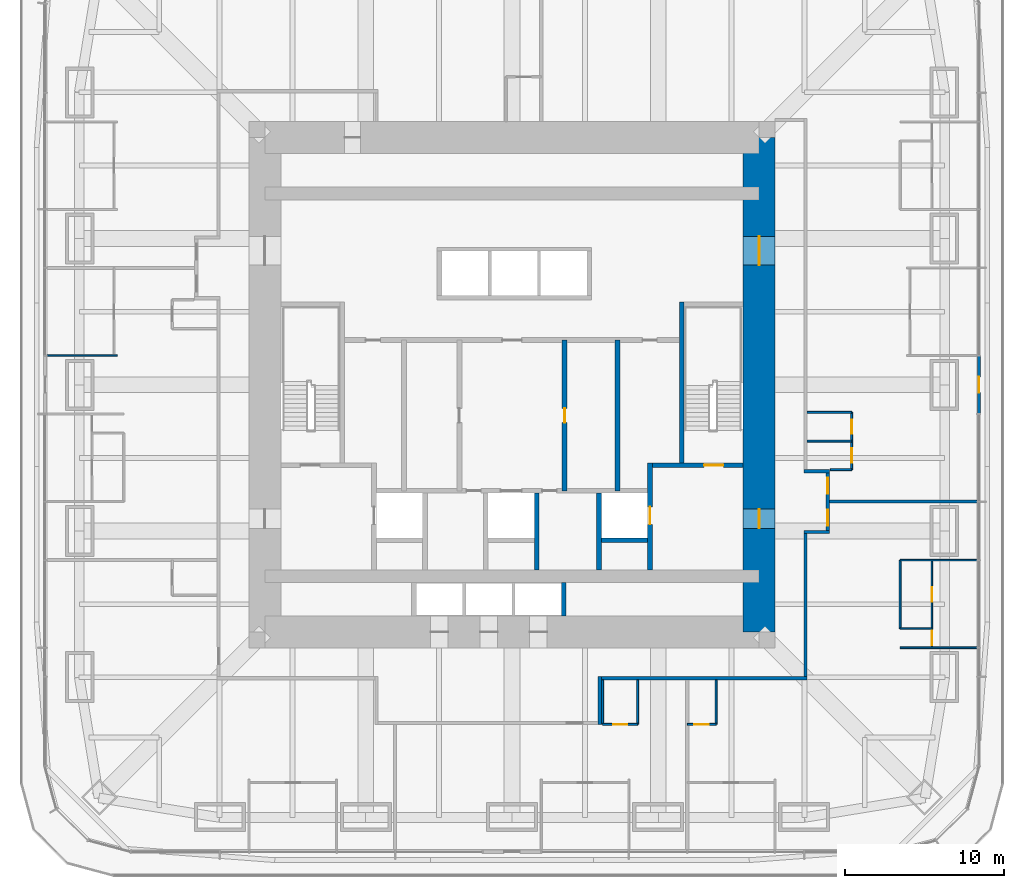
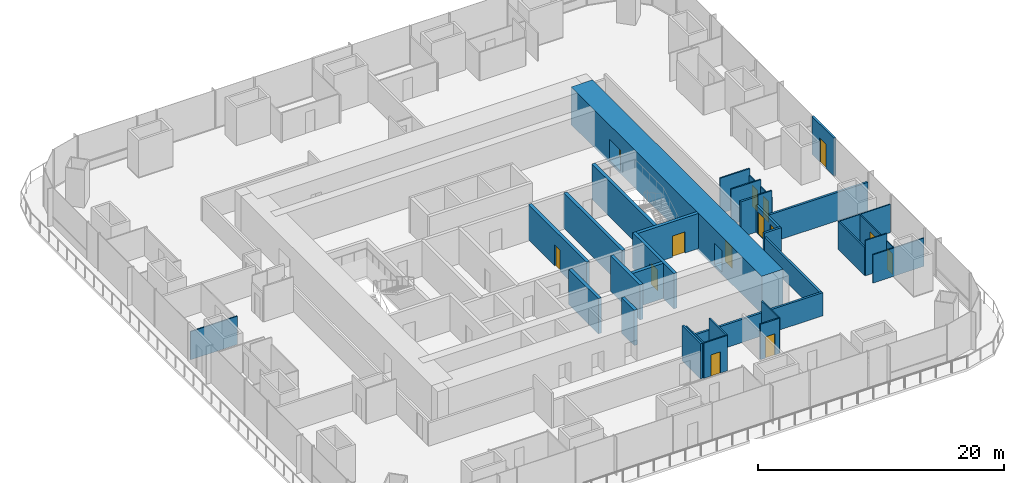
# One storey, part 12 of 16: 33 walls, 14 doors, 14 openings.
"""IFC4 building model written with IfcOpenShell, lengths in metres."""

from ifc_helpers import new_model, si_unit, direction, frame, frame_2d, origin, place, context, subcontext, project, spatial, rectangle, extrude, material, layer, layer_set, type_object, element, fill, save


model = new_model("IFC4")

# Units and contexts
model_context = context("Model", 3, precision=1e-05, world=origin(), true_north=direction((0.0, 1.0)))
body_context = subcontext(model_context, "Body", "Model", "MODEL_VIEW")
ifc_project = project(units=[si_unit("LENGTHUNIT", "METRE"), si_unit("AREAUNIT", "SQUARE_METRE"), si_unit("VOLUMEUNIT", "CUBIC_METRE"), si_unit("PLANEANGLEUNIT", "RADIAN"), si_unit("MASSUNIT", "GRAM", prefix="KILO")], contexts=[model_context])

# Site, building, storey
site_placement = place(None, origin())
site = spatial("IfcSite", under=ifc_project, at=site_placement, CompositionType="ELEMENT")
building_placement = place(site_placement, origin())
building = spatial("IfcBuilding", under=site, at=building_placement, Name="Khuree Lantern Residences", CompositionType="ELEMENT")
storey_placement = place(building_placement, frame((0.0, 0.0, 107.25)))
storey = spatial("IfcBuildingStorey", under=building, at=storey_placement, Name="L26", CompositionType="ELEMENT", Elevation=107.25)

# Wall, openings, doors
ifc_material_1 = material(Name="Moisture-resistant gypsum board on steel studs", Category="steel")
ifc_layer_1 = layer(ifc_material_1, 0.125)
ifc_layer_set_1 = layer_set([ifc_layer_1], Name="BATHROOM WALL BTW125")
wall_type_1 = type_object("IfcWallType", Name="BATHROOM WALL BTW125", PredefinedType="PARTITIONING", material=ifc_layer_set_1)
wall_1_placement = place(storey_placement, frame((21.300048828125, -5.327880859375, 0.0), z_axis=(0.0, 0.0, 1.0), x_axis=(0.0, 1.0, 0.0)))
wall_1 = element("IfcWall", 1, at=wall_1_placement, inside=storey, type_object=wall_type_1, Name="L26 BATHROOM WALL 01", PredefinedType="PARTITIONING", context=body_context, shape_type="SweptSolid", body=[
    extrude(rectangle(XDim=3.599853515625, YDim=0.125, at=frame_2d((1.7998046875, 0.0))), origin(), (0.0, 0.0, 1.0), 2.81005859375),
])
opening_1_placement = place(wall_1_placement, frame((0.449951171875, 0.0, 0.0)))
opening_1 = element("IfcOpeningElement", 2, at=opening_1_placement, cuts=wall_1, Name="Opening 26-027", PredefinedType="OPENING", context=body_context, shape_type="SweptSolid", body=[
    extrude(rectangle(XDim=0.89990234375, YDim=2.10009765625, at=frame_2d((0.449951171875, 1.050048828125))), frame((0.0, 0.072509765625, 0.0), z_axis=(0.0, -1.0, 0.0), x_axis=(1.0, 0.0, 0.0)), (0.0, 0.0, 1.0), 0.14501953125),
])
opening_2_placement = place(wall_1_placement, frame((2.25, 0.0, 0.0)))
opening_2 = element("IfcOpeningElement", 3, at=opening_2_placement, cuts=wall_1, Name="Opening 26-028", PredefinedType="OPENING", context=body_context, shape_type="SweptSolid", body=[
    extrude(rectangle(XDim=0.89990234375, YDim=2.10009765625, at=frame_2d((0.449951171875, 1.050048828125))), frame((0.0, 0.072509765625, 0.0), z_axis=(0.0, -1.0, 0.0), x_axis=(1.0, 0.0, 0.0)), (0.0, 0.0, 1.0), 0.14501953125),
])
ifc_material_2 = material(Name="Timber door leaf in hardwood frame", Category="wood")
door_type_1 = type_object("IfcDoorType", Name="BATHROOM DOOR 900X2100", OperationType="SINGLE_SWING_LEFT", PredefinedType="DOOR", material=ifc_material_2)
door_1_placement = place(opening_1_placement, origin())
door_1 = element("IfcDoor", 4, at=door_1_placement, inside=storey, type_object=door_type_1, Name="Bathroom door 26-027", OperationType="SINGLE_SWING_LEFT", OverallHeight=2.10009765625, OverallWidth=0.89990234375, PredefinedType="DOOR", context=body_context, shape_type="SweptSolid", body=[
    extrude(rectangle(XDim=0.89990234375, YDim=2.10009765625, at=frame_2d((0.449951171875, 1.050048828125))), frame((0.0, 0.02490234375, 0.0), z_axis=(0.0, -1.0, 0.0), x_axis=(1.0, 0.0, 0.0)), (0.0, 0.0, 1.0), 0.050048828125),
])
fill(opening_1, door_1)
door_type_2 = type_object("IfcDoorType", Name="DOOR 900X2100", OperationType="SINGLE_SWING_LEFT", PredefinedType="DOOR", material=ifc_material_2)
door_2_placement = place(opening_2_placement, origin())
door_2 = element("IfcDoor", 5, at=door_2_placement, inside=storey, type_object=door_type_2, Name="Store door 26-028", OperationType="SINGLE_SWING_LEFT", OverallHeight=2.10009765625, OverallWidth=0.89990234375, PredefinedType="DOOR", context=body_context, shape_type="SweptSolid", body=[
    extrude(rectangle(XDim=0.89990234375, YDim=2.10009765625, at=frame_2d((0.449951171875, 1.050048828125))), frame((0.0, 0.02490234375, 0.0), z_axis=(0.0, -1.0, 0.0), x_axis=(1.0, 0.0, 0.0)), (0.0, 0.0, 1.0), 0.050048828125),
])
fill(opening_2, door_2)

# Walls
wall_2_placement = place(storey_placement, frame((19.969970703125, -5.327880859375, 0.0), z_axis=(0.0, 0.0, 1.0), x_axis=(1.0, 0.0, 0.0)))
element("IfcWall", 6, at=wall_2_placement, inside=storey, type_object=wall_type_1, Name="L26 BATHROOM WALL 01", PredefinedType="PARTITIONING", context=body_context, shape_type="SweptSolid", body=[
    extrude(rectangle(XDim=1.330078125, YDim=0.125, at=frame_2d((0.6650390625, 0.0))), origin(), (0.0, 0.0, 1.0), 3.5),
])
for number, where, z_axis, x_axis, name in (
    (7, (18.5, -3.528076171875, 0.0), (0.0, 0.0, 1.0), (1.0, 0.0, 0.0), "L26 BATHROOM WALL 01"),
    (8, (18.5, -1.72802734375, 0.0), (0.0, 0.0, 1.0), (1.0, 0.0, 0.0), "L26 BATHROOM WALL 01"),
):
    element("IfcWall", number, at=place(storey_placement, frame(where, z_axis=z_axis, x_axis=x_axis)), inside=storey, type_object=wall_type_1, Name=name, PredefinedType="PARTITIONING", context=body_context, shape_type="SweptSolid", body=[
        extrude(rectangle(XDim=2.800048828125, YDim=0.125, at=frame_2d((1.39990234375, 0.0))), origin(), (0.0, 0.0, 1.0), 3.5),
    ])

# Wall, opening, door
wall_3_placement = place(storey_placement, frame((5.68359375, -21.300048828125, 0.0), z_axis=(0.0, 0.0, 1.0), x_axis=(1.0, 0.0, 0.0)))
wall_3 = element("IfcWall", 9, at=wall_3_placement, inside=storey, type_object=wall_type_1, Name="L26 BATHROOM WALL 05", PredefinedType="PARTITIONING", context=body_context, shape_type="SweptSolid", body=[
    extrude(rectangle(XDim=2.199951171875, YDim=0.125, at=frame_2d((1.10009765625, 0.0))), origin(), (0.0, 0.0, 1.0), 3.5),
])
opening_3_placement = place(wall_3_placement, frame((0.64990234375, 0.0, 0.0)))
opening_3 = element("IfcOpeningElement", 10, at=opening_3_placement, cuts=wall_3, Name="Opening 26-043", PredefinedType="OPENING", context=body_context, shape_type="SweptSolid", body=[
    extrude(rectangle(XDim=0.89990234375, YDim=2.10009765625, at=frame_2d((0.449951171875, 1.050048828125))), frame((0.0, 0.072509765625, 0.0), z_axis=(0.0, -1.0, 0.0), x_axis=(1.0, 0.0, 0.0)), (0.0, 0.0, 1.0), 0.14501953125),
])
door_3_placement = place(opening_3_placement, origin())
door_3 = element("IfcDoor", 11, at=door_3_placement, inside=storey, type_object=door_type_1, Name="Bathroom door 26-043", OperationType="SINGLE_SWING_LEFT", OverallHeight=2.10009765625, OverallWidth=0.89990234375, PredefinedType="DOOR", context=body_context, shape_type="SweptSolid", body=[
    extrude(rectangle(XDim=0.89990234375, YDim=2.10009765625, at=frame_2d((0.449951171875, 1.050048828125))), frame((0.0, 0.02490234375, 0.0), z_axis=(0.0, -1.0, 0.0), x_axis=(1.0, 0.0, 0.0)), (0.0, 0.0, 1.0), 0.050048828125),
])
fill(opening_3, door_3)

# Walls
for number, where, z_axis, x_axis, name in (
    (12, (5.68359375, -18.5, 0.0), (0.0, 0.0, 1.0), (0.0, -1.0, 0.0), "L26 BATHROOM WALL 05"),
    (13, (7.883544921875, -18.5, 0.0), (0.0, 0.0, 1.0), (0.0, -1.0, 0.0), "L26 BATHROOM WALL 05"),
):
    element("IfcWall", number, at=place(storey_placement, frame(where, z_axis=z_axis, x_axis=x_axis)), inside=storey, type_object=wall_type_1, Name=name, PredefinedType="PARTITIONING", context=body_context, shape_type="SweptSolid", body=[
        extrude(rectangle(XDim=2.800048828125, YDim=0.125, at=frame_2d((1.39990234375, 0.0))), origin(), (0.0, 0.0, 1.0), 3.5),
    ])
wall_4_placement = place(storey_placement, frame((24.329833984375, -15.2880859375, 0.0), z_axis=(0.0, 0.0, 1.0), x_axis=(0.0, 1.0, 0.0)))
element("IfcWall", 14, at=wall_4_placement, inside=storey, type_object=wall_type_1, Name="L26 BATHROOM WALL 06", PredefinedType="PARTITIONING", context=body_context, shape_type="SweptSolid", body=[
    extrude(rectangle(XDim=4.296142578125, YDim=0.125, at=frame_2d((2.14794921875, 0.0))), origin(), (0.0, 0.0, 1.0), 2.81005859375),
])

# Wall, opening, door
wall_5_placement = place(storey_placement, frame((10.991943359375, -21.300048828125, 0.0), z_axis=(0.0, 0.0, 1.0), x_axis=(1.0, 0.0, 0.0)))
wall_5 = element("IfcWall", 15, at=wall_5_placement, inside=storey, type_object=wall_type_1, Name="L26 BATHROOM WALL 06", PredefinedType="PARTITIONING", context=body_context, shape_type="SweptSolid", body=[
    extrude(rectangle(XDim=1.800048828125, YDim=0.125, at=frame_2d((0.89990234375, 0.0))), origin(), (0.0, 0.0, 1.0), 3.5),
])
opening_4_placement = place(wall_5_placement, frame((0.449951171875, 0.0, 0.0)))
opening_4 = element("IfcOpeningElement", 16, at=opening_4_placement, cuts=wall_5, Name="Opening 26-048", PredefinedType="OPENING", context=body_context, shape_type="SweptSolid", body=[
    extrude(rectangle(XDim=0.89990234375, YDim=2.10009765625, at=frame_2d((0.449951171875, 1.050048828125))), frame((0.0, 0.072509765625, 0.0), z_axis=(0.0, -1.0, 0.0), x_axis=(1.0, 0.0, 0.0)), (0.0, 0.0, 1.0), 0.14501953125),
])
door_4_placement = place(opening_4_placement, origin())
door_4 = element("IfcDoor", 17, at=door_4_placement, inside=storey, type_object=door_type_1, Name="Bathroom door 26-048", OperationType="SINGLE_SWING_LEFT", OverallHeight=2.10009765625, OverallWidth=0.89990234375, PredefinedType="DOOR", context=body_context, shape_type="SweptSolid", body=[
    extrude(rectangle(XDim=0.89990234375, YDim=2.10009765625, at=frame_2d((0.449951171875, 1.050048828125))), frame((0.0, 0.02490234375, 0.0), z_axis=(0.0, -1.0, 0.0), x_axis=(1.0, 0.0, 0.0)), (0.0, 0.0, 1.0), 0.050048828125),
])
fill(opening_4, door_4)

# Wall
wall_6_placement = place(storey_placement, frame((12.7919921875, -18.5, 0.0), z_axis=(0.0, 0.0, 1.0), x_axis=(0.0, -1.0, 0.0)))
element("IfcWall", 18, at=wall_6_placement, inside=storey, type_object=wall_type_1, Name="L26 BATHROOM WALL 06", PredefinedType="PARTITIONING", context=body_context, shape_type="SweptSolid", body=[
    extrude(rectangle(XDim=2.800048828125, YDim=0.125, at=frame_2d((1.39990234375, 0.0))), origin(), (0.0, 0.0, 1.0), 3.5),
])

# Wall, opening, door
ifc_material_3 = material(Name="Dense concrete blockwork", Category="masonry")
ifc_layer_2 = layer(ifc_material_3, 0.300048828125)
ifc_layer_set_2 = layer_set([ifc_layer_2], Name="CORE PARTITION WALL CPW300 EI 120")
wall_type_2 = type_object("IfcWallType", Name="CORE PARTITION WALL CPW300 EI 120", PredefinedType="PARTITIONING", material=ifc_layer_set_2)
wall_7_placement = place(storey_placement, frame((8.64990234375, -11.60009765625, 0.0), z_axis=(0.0, 0.0, 1.0), x_axis=(0.0, 1.0, 0.0)))
wall_7 = element("IfcWall", 19, at=wall_7_placement, inside=storey, type_object=wall_type_2, Name="L26 CORE WALL FL2E", PredefinedType="PARTITIONING", context=body_context, shape_type="SweptSolid", body=[
    extrude(rectangle(XDim=6.7001953125, YDim=0.300048828125, at=frame_2d((3.35009765625, 0.0))), origin(), (0.0, 0.0, 1.0), 3.5),
])
opening_5_placement = place(wall_7_placement, frame((2.85009765625, 0.0, 0.0)))
opening_5 = element("IfcOpeningElement", 20, at=opening_5_placement, cuts=wall_7, Name="Opening 26-008", PredefinedType="OPENING", context=body_context, shape_type="SweptSolid", body=[
    extrude(rectangle(XDim=1.10009765625, YDim=2.10009765625, at=frame_2d((0.550048828125, 1.050048828125))), frame((0.0, 0.16015625, 0.0), z_axis=(0.0, -1.0, 0.0), x_axis=(1.0, 0.0, 0.0)), (0.0, 0.0, 1.0), 0.320068359375),
])
ifc_material_4 = material(Name="Stainless steel lift landing door", Category="steel")
door_type_3 = type_object("IfcDoorType", Name="LIFT LANDING DOOR 1100X2100 E 120", OperationType="DOUBLE_DOOR_SLIDING", PredefinedType="DOOR", material=ifc_material_4)
door_5_placement = place(opening_5_placement, origin())
door_5 = element("IfcDoor", 21, at=door_5_placement, inside=storey, type_object=door_type_3, Name="Landing door FL2 26-008", OperationType="DOUBLE_DOOR_SLIDING", OverallHeight=2.10009765625, OverallWidth=1.10009765625, PredefinedType="DOOR", context=body_context, shape_type="SweptSolid", body=[
    extrude(rectangle(XDim=1.10009765625, YDim=2.10009765625, at=frame_2d((0.550048828125, 1.050048828125))), frame((0.0, 0.02490234375, 0.0), z_axis=(0.0, -1.0, 0.0), x_axis=(1.0, 0.0, 0.0)), (0.0, 0.0, 1.0), 0.050048828125),
])
fill(opening_5, door_5)

# Walls
for number, where, z_axis, x_axis, name in (
    (22, (1.550048828125, -11.60009765625, 0.0), (0.0, 0.0, 1.0), (0.0, 1.0, 0.0), "L26 CORE WALL SL1E"),
    (23, (5.449951171875, -11.60009765625, 0.0), (0.0, 0.0, 1.0), (0.0, 1.0, 0.0), "L26 CORE WALL FL2W"),
):
    element("IfcWall", number, at=place(storey_placement, frame(where, z_axis=z_axis, x_axis=x_axis)), inside=storey, type_object=wall_type_2, Name=name, PredefinedType="PARTITIONING", context=body_context, shape_type="SweptSolid", body=[
        extrude(rectangle(XDim=4.800048828125, YDim=0.300048828125, at=frame_2d((2.39990234375, 0.0))), origin(), (0.0, 0.0, 1.0), 3.5),
    ])
wall_8_placement = place(storey_placement, frame((5.60009765625, -9.75, 0.0), z_axis=(0.0, 0.0, 1.0), x_axis=(1.0, 0.0, 0.0)))
element("IfcWall", 24, at=wall_8_placement, inside=storey, type_object=wall_type_2, Name="L26 CORE WALL FL2S", PredefinedType="PARTITIONING", context=body_context, shape_type="SweptSolid", body=[
    extrude(rectangle(XDim=2.89990234375, YDim=0.300048828125, at=frame_2d((1.449951171875, 0.0))), origin(), (0.0, 0.0, 1.0), 3.5),
])
wall_9_placement = place(storey_placement, frame((3.25, -14.5, 0.0), z_axis=(0.0, 0.0, 1.0), x_axis=(0.0, 1.0, 0.0)))
element("IfcWall", 25, at=wall_9_placement, inside=storey, type_object=wall_type_2, Name="L26 CORE WALL PME", PredefinedType="PARTITIONING", context=body_context, shape_type="SweptSolid", body=[
    extrude(rectangle(XDim=2.10009765625, YDim=0.300048828125, at=frame_2d((1.050048828125, 0.0))), origin(), (0.0, 0.0, 1.0), 3.5),
])

# Wall, opening, door
wall_10_placement = place(storey_placement, frame((3.300048828125, -6.64990234375, 0.0), z_axis=(0.0, 0.0, 1.0), x_axis=(0.0, 1.0, 0.0)))
wall_10 = element("IfcWall", 26, at=wall_10_placement, inside=storey, type_object=wall_type_2, Name="L26 CORE WALL SVE", PredefinedType="PARTITIONING", context=body_context, shape_type="SweptSolid", body=[
    extrude(rectangle(XDim=9.449951171875, YDim=0.300048828125, at=frame_2d((4.72509765625, 0.0))), origin(), (0.0, 0.0, 1.0), 3.5),
])
opening_6_placement = place(wall_10_placement, frame((4.27490234375, 0.0, 0.0)))
opening_6 = element("IfcOpeningElement", 27, at=opening_6_placement, cuts=wall_10, Name="Opening 26-018", PredefinedType="OPENING", context=body_context, shape_type="SweptSolid", body=[
    extrude(rectangle(XDim=0.89990234375, YDim=2.10009765625, at=frame_2d((0.449951171875, 1.050048828125))), frame((0.0, 0.16015625, 0.0), z_axis=(0.0, -1.0, 0.0), x_axis=(1.0, 0.0, 0.0)), (0.0, 0.0, 1.0), 0.320068359375),
])
door_6_placement = place(opening_6_placement, origin())
door_6 = element("IfcDoor", 28, at=door_6_placement, inside=storey, type_object=door_type_2, Name="Residents' store door 26-018", OperationType="SINGLE_SWING_LEFT", OverallHeight=2.10009765625, OverallWidth=0.89990234375, PredefinedType="DOOR", context=body_context, shape_type="SweptSolid", body=[
    extrude(rectangle(XDim=0.89990234375, YDim=2.10009765625, at=frame_2d((0.449951171875, 1.050048828125))), frame((0.0, 0.02490234375, 0.0), z_axis=(0.0, -1.0, 0.0), x_axis=(1.0, 0.0, 0.0)), (0.0, 0.0, 1.0), 0.050048828125),
])
fill(opening_6, door_6)

# Walls
wall_11_placement = place(storey_placement, frame((6.6220703125, -6.64990234375, 0.0), z_axis=(0.0, 0.0, 1.0), x_axis=(0.0, 1.0, 0.0)))
element("IfcWall", 29, at=wall_11_placement, inside=storey, type_object=wall_type_2, Name="L26 CORE WALL EV", PredefinedType="PARTITIONING", context=body_context, shape_type="SweptSolid", body=[
    extrude(rectangle(XDim=9.449951171875, YDim=0.300048828125, at=frame_2d((4.72509765625, 0.0))), origin(), (0.0, 0.0, 1.0), 3.5),
])
ifc_material_5 = material(Name="Gypsum board on steel studs", Category="steel")
ifc_layer_3 = layer(ifc_material_5, 0.199951171875)
ifc_layer_set_3 = layer_set([ifc_layer_3], Name="CORRIDOR WALL CRW200 EI 60")
wall_type_3 = type_object("IfcWallType", Name="CORRIDOR WALL CRW200 EI 60", PredefinedType="PARTITIONING", material=ifc_layer_set_3)
wall_12_placement = place(storey_placement, frame((18.39990234375, -18.300048828125, 0.0), z_axis=(0.0, 0.0, 1.0), x_axis=(0.0, 1.0, 0.0)))
element("IfcWall", 30, at=wall_12_placement, inside=storey, type_object=wall_type_3, Name="L26 CORRIDOR WALL EAST 1", PredefinedType="PARTITIONING", context=body_context, shape_type="SweptSolid", body=[
    extrude(rectangle(XDim=8.97216796875, YDim=0.199951171875, at=frame_2d((4.486083984375, 0.0))), origin(), (0.0, 0.0, 1.0), 2.300048828125),
])
wall_13_placement = place(storey_placement, frame((18.300048828125, -9.22802734375, 0.0), z_axis=(0.0, 0.0, 1.0), x_axis=(1.0, 0.0, 0.0)))
element("IfcWall", 31, at=wall_13_placement, inside=storey, type_object=wall_type_3, Name="L26 CORRIDOR ALCOVE WALL EAST", PredefinedType="PARTITIONING", context=body_context, shape_type="SweptSolid", body=[
    extrude(rectangle(XDim=1.599853515625, YDim=0.199951171875, at=frame_2d((0.7998046875, 0.0))), origin(), (0.0, 0.0, 1.0), 2.699951171875),
])
wall_14_placement = place(storey_placement, frame((18.300048828125, -5.427978515625, 0.0), z_axis=(0.0, 0.0, 1.0), x_axis=(1.0, 0.0, 0.0)))
element("IfcWall", 32, at=wall_14_placement, inside=storey, type_object=wall_type_3, Name="L26 CORRIDOR ALCOVE WALL EAST", PredefinedType="PARTITIONING", context=body_context, shape_type="SweptSolid", body=[
    extrude(rectangle(XDim=1.599853515625, YDim=0.199951171875, at=frame_2d((0.7998046875, 0.0))), origin(), (0.0, 0.0, 1.0), 3.5),
])

# Wall, openings, doors
wall_15_placement = place(storey_placement, frame((19.800048828125, -9.1279296875, 0.0), z_axis=(0.0, 0.0, 1.0), x_axis=(0.0, 1.0, 0.0)))
wall_15 = element("IfcWall", 33, at=wall_15_placement, inside=storey, type_object=wall_type_3, Name="L26 CORRIDOR ALCOVE WALL EAST", PredefinedType="PARTITIONING", context=body_context, shape_type="SweptSolid", body=[
    extrude(rectangle(XDim=3.599853515625, YDim=0.199951171875, at=frame_2d((1.7998046875, 0.0))), origin(), (0.0, 0.0, 1.0), 2.699951171875),
])
opening_7_placement = place(wall_15_placement, frame((2.300048828125, 0.0, 0.0)))
opening_7 = element("IfcOpeningElement", 34, at=opening_7_placement, cuts=wall_15, Name="Opening 26-029", PredefinedType="OPENING", context=body_context, shape_type="SweptSolid", body=[
    extrude(rectangle(XDim=1.0, YDim=2.199951171875, at=frame_2d((0.5, 1.10009765625))), frame((0.0, 0.10986328125, 0.0), z_axis=(0.0, -1.0, 0.0), x_axis=(1.0, 0.0, 0.0)), (0.0, 0.0, 1.0), 0.219970703125),
])
opening_8_placement = place(wall_15_placement, frame((0.300048828125, 0.0, 0.0)))
opening_8 = element("IfcOpeningElement", 35, at=opening_8_placement, cuts=wall_15, Name="Opening 26-049", PredefinedType="OPENING", context=body_context, shape_type="SweptSolid", body=[
    extrude(rectangle(XDim=1.0, YDim=2.199951171875, at=frame_2d((0.5, 1.10009765625))), frame((0.0, 0.10986328125, 0.0), z_axis=(0.0, -1.0, 0.0), x_axis=(1.0, 0.0, 0.0)), (0.0, 0.0, 1.0), 0.219970703125),
])
door_type_4 = type_object("IfcDoorType", Name="APARTMENT ENTRANCE DOOR 1000X2200 EI 30S", OperationType="SINGLE_SWING_LEFT", PredefinedType="DOOR", material=ifc_material_2)
door_7_placement = place(opening_8_placement, origin())
door_7 = element("IfcDoor", 36, at=door_7_placement, inside=storey, type_object=door_type_4, Name="Apartment 06 entrance door 26-049", OperationType="SINGLE_SWING_LEFT", OverallHeight=2.199951171875, OverallWidth=1.0, PredefinedType="DOOR", context=body_context, shape_type="SweptSolid", body=[
    extrude(rectangle(XDim=1.0, YDim=2.199951171875, at=frame_2d((0.5, 1.10009765625))), frame((0.0, 0.02490234375, 0.0), z_axis=(0.0, -1.0, 0.0), x_axis=(1.0, 0.0, 0.0)), (0.0, 0.0, 1.0), 0.050048828125),
])
fill(opening_8, door_7)
door_type_5 = type_object("IfcDoorType", Name="APARTMENT ENTRANCE DOOR 1000X2200 EI 30S RIGHT HAND", OperationType="SINGLE_SWING_RIGHT", PredefinedType="DOOR", material=ifc_material_2)
door_8_placement = place(opening_7_placement, origin())
door_8 = element("IfcDoor", 37, at=door_8_placement, inside=storey, type_object=door_type_5, Name="Apartment 01 entrance door 26-029", OperationType="SINGLE_SWING_RIGHT", OverallHeight=2.199951171875, OverallWidth=1.0, PredefinedType="DOOR", context=body_context, shape_type="SweptSolid", body=[
    extrude(rectangle(XDim=1.0, YDim=2.199951171875, at=frame_2d((0.5, 1.10009765625))), frame((0.0, 0.02490234375, 0.0), z_axis=(0.0, -1.0, 0.0), x_axis=(1.0, 0.0, 0.0)), (0.0, 0.0, 1.0), 0.050048828125),
])
fill(opening_7, door_8)

# Walls
wall_16_placement = place(storey_placement, frame((18.5, -18.39990234375, 0.0), z_axis=(0.0, 0.0, 1.0), x_axis=(-1.0, 0.0, 0.0)))
element("IfcWall", 38, at=wall_16_placement, inside=storey, type_object=wall_type_3, Name="L26 CORRIDOR WALL SOUTH 1", PredefinedType="PARTITIONING", context=body_context, shape_type="SweptSolid", body=[
    extrude(rectangle(XDim=12.89990234375, YDim=0.199951171875, at=frame_2d((6.449951171875, 0.0))), origin(), (0.0, 0.0, 1.0), 2.300048828125),
])
wall_17_placement = place(storey_placement, frame((5.5, -18.300048828125, 0.0), z_axis=(0.0, 0.0, 1.0), x_axis=(0.0, -1.0, 0.0)))
element("IfcWall", 39, at=wall_17_placement, inside=storey, type_object=wall_type_3, Name="L26 LIFT LOBBY WALL", PredefinedType="PARTITIONING", context=body_context, shape_type="SweptSolid", body=[
    extrude(rectangle(XDim=3.0, YDim=0.199951171875, at=frame_2d((1.5, 0.0))), origin(), (0.0, 0.0, 1.0), 3.5),
])

# Wall, openings, doors
ifc_material_6 = material(Name="Concrete C70/85", Category="concrete")
ifc_layer_4 = layer(ifc_material_6, 2.0)
ifc_layer_set_4 = layer_set([ifc_layer_4], Name="CW2000-C70 CORE WALL C70 2000")
wall_type_4 = type_object("IfcWallType", Name="CW2000-C70 CORE WALL C70 2000", PredefinedType="SHEAR", material=ifc_layer_set_4)
wall_18_placement = place(storey_placement, frame((15.5, -15.5, -0.25), z_axis=(0.0, 0.0, 1.0), x_axis=(0.0, 1.0, 0.0)))
wall_18 = element("IfcWall", 40, at=wall_18_placement, inside=storey, type_object=wall_type_4, Name="Core wall E", PredefinedType="SHEAR", context=body_context, shape_type="SweptSolid", body=[
    extrude(rectangle(XDim=31.0, YDim=2.0, at=frame_2d((15.5, 0.0))), origin(), (0.0, 0.0, 1.0), 3.75),
])
opening_9_placement = place(wall_18_placement, frame((6.5, 0.0, 0.25)))
opening_9 = element("IfcOpeningElement", 41, at=opening_9_placement, cuts=wall_18, Name="Opening 26-005", PredefinedType="OPENING", context=body_context, shape_type="SweptSolid", body=[
    extrude(rectangle(XDim=1.199951171875, YDim=2.10009765625, at=frame_2d((0.60009765625, 1.050048828125))), frame((0.0, 1.010009765625, 0.0), z_axis=(0.0, -1.0, 0.0), x_axis=(1.0, 0.0, 0.0)), (0.0, 0.0, 1.0), 2.02001953125),
])
opening_10_placement = place(wall_18_placement, frame((23.0, 0.0, 0.25)))
opening_10 = element("IfcOpeningElement", 42, at=opening_10_placement, cuts=wall_18, Name="Opening 26-006", PredefinedType="OPENING", context=body_context, shape_type="SweptSolid", body=[
    extrude(rectangle(XDim=1.800048828125, YDim=2.10009765625, at=frame_2d((0.89990234375, 1.050048828125))), frame((0.0, 1.010009765625, 0.0), z_axis=(0.0, -1.0, 0.0), x_axis=(1.0, 0.0, 0.0)), (0.0, 0.0, 1.0), 2.02001953125),
])
ifc_material_7 = material(Name="Steel door leaf in steel frame", Category="steel")
door_type_6 = type_object("IfcDoorType", Name="LOBBY DOOR 1200X2100 EI 120", OperationType="SINGLE_SWING_LEFT", PredefinedType="DOOR", material=ifc_material_7)
door_9_placement = place(opening_9_placement, origin())
door_9 = element("IfcDoor", 43, at=door_9_placement, inside=storey, type_object=door_type_6, Name="Firefighting lobby door 26-005", OperationType="SINGLE_SWING_LEFT", OverallHeight=2.10009765625, OverallWidth=1.199951171875, PredefinedType="DOOR", context=body_context, shape_type="SweptSolid", body=[
    extrude(rectangle(XDim=1.199951171875, YDim=2.10009765625, at=frame_2d((0.60009765625, 1.050048828125))), frame((0.0, 0.02490234375, 0.0), z_axis=(0.0, -1.0, 0.0), x_axis=(1.0, 0.0, 0.0)), (0.0, 0.0, 1.0), 0.050048828125),
])
fill(opening_9, door_9)
door_type_7 = type_object("IfcDoorType", Name="LOBBY DOUBLE DOOR 1800X2100 EI 60", OperationType="DOUBLE_DOOR_SINGLE_SWING", PredefinedType="DOOR", material=ifc_material_7)
door_10_placement = place(opening_10_placement, origin())
door_10 = element("IfcDoor", 44, at=door_10_placement, inside=storey, type_object=door_type_7, Name="Lift lobby door 26-006", OperationType="DOUBLE_DOOR_SINGLE_SWING", OverallHeight=2.10009765625, OverallWidth=1.800048828125, PredefinedType="DOOR", context=body_context, shape_type="SweptSolid", body=[
    extrude(rectangle(XDim=1.800048828125, YDim=2.10009765625, at=frame_2d((0.89990234375, 1.050048828125))), frame((0.0, 0.02490234375, 0.0), z_axis=(0.0, -1.0, 0.0), x_axis=(1.0, 0.0, 0.0)), (0.0, 0.0, 1.0), 0.050048828125),
])
fill(opening_10, door_10)

# Walls
ifc_layer_5 = layer(ifc_material_5, 0.199951171875)
ifc_layer_set_5 = layer_set([ifc_layer_5], Name="DEMISING WALL DMW200 EI 90")
wall_type_5 = type_object("IfcWallType", Name="DEMISING WALL DMW200 EI 90", PredefinedType="PARTITIONING", material=ifc_layer_set_5)
wall_19_placement = place(storey_placement, frame((19.89990234375, -7.327880859375, 0.0), z_axis=(0.0, 0.0, 1.0), x_axis=(1.0, 0.0, 0.0)))
element("IfcWall", 45, at=wall_19_placement, inside=storey, type_object=wall_type_5, Name="L26 DEMISING WALL 01", PredefinedType="PARTITIONING", context=body_context, shape_type="SweptSolid", body=[
    extrude(rectangle(XDim=9.25, YDim=0.199951171875, at=frame_2d((4.625, 0.0))), origin(), (0.0, 0.0, 1.0), 2.81005859375),
])
ifc_layer_6 = layer(ifc_material_5, 0.10009765625)
ifc_layer_set_6 = layer_set([ifc_layer_6], Name="PARTITION PT100")
wall_type_6 = type_object("IfcWallType", Name="PARTITION PT100", PredefinedType="PARTITIONING", material=ifc_layer_set_6)
wall_20_placement = place(storey_placement, frame((-24.75, 1.83203125, 0.0), z_axis=(0.0, 0.0, 1.0), x_axis=(-1.0, 0.0, 0.0)))
element("IfcWall", 46, at=wall_20_placement, inside=storey, type_object=wall_type_6, Name="L26 PARTITION 03", PredefinedType="PARTITIONING", context=body_context, shape_type="SweptSolid", body=[
    extrude(rectangle(XDim=4.39990234375, YDim=0.10009765625, at=frame_2d((2.199951171875, 0.0))), origin(), (0.0, 0.0, 1.0), 2.81005859375),
])
for number, where, z_axis, x_axis, name in (
    (47, (24.329833984375, -16.488037109375, 0.0), (0.0, 0.0, 1.0), (1.0, 0.0, 0.0), "L26 PARTITION 06"),
    (48, (24.329833984375, -10.991943359375, 0.0), (0.0, 0.0, 1.0), (1.0, 0.0, 0.0), "L26 PARTITION 06"),
):
    element("IfcWall", number, at=place(storey_placement, frame(where, z_axis=z_axis, x_axis=x_axis)), inside=storey, type_object=wall_type_6, Name=name, PredefinedType="PARTITIONING", context=body_context, shape_type="SweptSolid", body=[
        extrude(rectangle(XDim=4.820068359375, YDim=0.10009765625, at=frame_2d((2.41015625, 0.0))), origin(), (0.0, 0.0, 1.0), 2.81005859375),
    ])

# Wall, openings, doors
wall_21_placement = place(storey_placement, frame((26.329833984375, -16.488037109375, 0.0), z_axis=(0.0, 0.0, 1.0), x_axis=(0.0, 1.0, 0.0)))
wall_21 = element("IfcWall", 49, at=wall_21_placement, inside=storey, type_object=wall_type_6, Name="L26 PARTITION 06", PredefinedType="PARTITIONING", context=body_context, shape_type="SweptSolid", body=[
    extrude(rectangle(XDim=5.49609375, YDim=0.10009765625, at=frame_2d((2.748046875, 0.0))), origin(), (0.0, 0.0, 1.0), 2.81005859375),
])
opening_11_placement = place(wall_21_placement, frame((0.14990234375, 0.0, 0.0)))
opening_11 = element("IfcOpeningElement", 50, at=opening_11_placement, cuts=wall_21, Name="Opening 26-046", PredefinedType="OPENING", context=body_context, shape_type="SweptSolid", body=[
    extrude(rectangle(XDim=0.89990234375, YDim=2.10009765625, at=frame_2d((0.449951171875, 1.050048828125))), frame((0.0, 0.06005859375, 0.0), z_axis=(0.0, -1.0, 0.0), x_axis=(1.0, 0.0, 0.0)), (0.0, 0.0, 1.0), 0.1201171875),
])
opening_12_placement = place(wall_21_placement, frame((2.89794921875, 0.0, 0.0)))
opening_12 = element("IfcOpeningElement", 51, at=opening_12_placement, cuts=wall_21, Name="Opening 26-047", PredefinedType="OPENING", context=body_context, shape_type="SweptSolid", body=[
    extrude(rectangle(XDim=0.89990234375, YDim=2.10009765625, at=frame_2d((0.449951171875, 1.050048828125))), frame((0.0, 0.06005859375, 0.0), z_axis=(0.0, -1.0, 0.0), x_axis=(1.0, 0.0, 0.0)), (0.0, 0.0, 1.0), 0.1201171875),
])
door_11_placement = place(opening_12_placement, origin())
door_11 = element("IfcDoor", 52, at=door_11_placement, inside=storey, type_object=door_type_1, Name="Bathroom door 26-047", OperationType="SINGLE_SWING_LEFT", OverallHeight=2.10009765625, OverallWidth=0.89990234375, PredefinedType="DOOR", context=body_context, shape_type="SweptSolid", body=[
    extrude(rectangle(XDim=0.89990234375, YDim=2.10009765625, at=frame_2d((0.449951171875, 1.050048828125))), frame((0.0, 0.02490234375, 0.0), z_axis=(0.0, -1.0, 0.0), x_axis=(1.0, 0.0, 0.0)), (0.0, 0.0, 1.0), 0.050048828125),
])
fill(opening_12, door_11)
door_type_8 = type_object("IfcDoorType", Name="BEDROOM DOOR 900X2100", OperationType="SINGLE_SWING_LEFT", PredefinedType="DOOR", material=ifc_material_2)
door_12_placement = place(opening_11_placement, origin())
door_12 = element("IfcDoor", 53, at=door_12_placement, inside=storey, type_object=door_type_8, Name="Bedroom door 26-046", OperationType="SINGLE_SWING_LEFT", OverallHeight=2.10009765625, OverallWidth=0.89990234375, PredefinedType="DOOR", context=body_context, shape_type="SweptSolid", body=[
    extrude(rectangle(XDim=0.89990234375, YDim=2.10009765625, at=frame_2d((0.449951171875, 1.050048828125))), frame((0.0, 0.02490234375, 0.0), z_axis=(0.0, -1.0, 0.0), x_axis=(1.0, 0.0, 0.0)), (0.0, 0.0, 1.0), 0.050048828125),
])
fill(opening_11, door_12)

# Walls
wall_22_placement = place(storey_placement, frame((24.329833984375, -15.2880859375, 0.0), z_axis=(0.0, 0.0, 1.0), x_axis=(1.0, 0.0, 0.0)))
element("IfcWall", 54, at=wall_22_placement, inside=storey, type_object=wall_type_6, Name="L26 PARTITION 06", PredefinedType="PARTITIONING", context=body_context, shape_type="SweptSolid", body=[
    extrude(rectangle(XDim=2.0, YDim=0.10009765625, at=frame_2d((1.0, 0.0))), origin(), (0.0, 0.0, 1.0), 3.5),
])
ifc_material_8 = material(Name="Concrete C50/60", Category="concrete")
ifc_layer_7 = layer(ifc_material_8, 0.300048828125)
ifc_layer_set_7 = layer_set([ifc_layer_7], Name="STAIR WALL SRW300 C50/60 REI 240")
wall_type_7 = type_object("IfcWallType", Name="STAIR WALL SRW300 C50/60 REI 240", PredefinedType="SOLIDWALL", material=ifc_layer_set_7)
wall_23_placement = place(storey_placement, frame((10.64990234375, -4.89990234375, 0.0), z_axis=(0.0, 0.0, 1.0), x_axis=(0.0, 1.0, 0.0)))
element("IfcWall", 55, at=wall_23_placement, inside=storey, type_object=wall_type_7, Name="L26 STAIR WALL ST2E", PredefinedType="SOLIDWALL", context=body_context, shape_type="SweptSolid", body=[
    extrude(rectangle(XDim=10.099853515625, YDim=0.300048828125, at=frame_2d((5.0498046875, 0.0))), origin(), (0.0, 0.0, 1.0), 3.5),
])

# Wall, opening, door
wall_24_placement = place(storey_placement, frame((14.5, -5.050048828125, 0.0), z_axis=(0.0, 0.0, 1.0), x_axis=(-1.0, 0.0, 0.0)))
wall_24 = element("IfcWall", 56, at=wall_24_placement, inside=storey, type_object=wall_type_7, Name="L26 STAIR WALL ST2S", PredefinedType="SOLIDWALL", context=body_context, shape_type="SweptSolid", body=[
    extrude(rectangle(XDim=5.699951171875, YDim=0.300048828125, at=frame_2d((2.85009765625, 0.0))), origin(), (0.0, 0.0, 1.0), 3.5),
])
opening_13_placement = place(wall_24_placement, frame((1.25, 0.0, 0.0)))
opening_13 = element("IfcOpeningElement", 57, at=opening_13_placement, cuts=wall_24, Name="Opening 26-004", PredefinedType="OPENING", context=body_context, shape_type="SweptSolid", body=[
    extrude(rectangle(XDim=1.199951171875, YDim=2.10009765625, at=frame_2d((0.60009765625, 1.050048828125))), frame((0.0, 0.16015625, 0.0), z_axis=(0.0, -1.0, 0.0), x_axis=(1.0, 0.0, 0.0)), (0.0, 0.0, 1.0), 0.320068359375),
])
door_type_9 = type_object("IfcDoorType", Name="STAIR DOOR 1200X2100 EI 120", OperationType="SINGLE_SWING_LEFT", PredefinedType="DOOR", material=ifc_material_7)
door_13_placement = place(opening_13_placement, origin())
door_13 = element("IfcDoor", 58, at=door_13_placement, inside=storey, type_object=door_type_9, Name="Stair ST2 door 26-004", OperationType="SINGLE_SWING_LEFT", OverallHeight=2.10009765625, OverallWidth=1.199951171875, PredefinedType="DOOR", context=body_context, shape_type="SweptSolid", body=[
    extrude(rectangle(XDim=1.199951171875, YDim=2.10009765625, at=frame_2d((0.60009765625, 1.050048828125))), frame((0.0, 0.02490234375, 0.0), z_axis=(0.0, -1.0, 0.0), x_axis=(1.0, 0.0, 0.0)), (0.0, 0.0, 1.0), 0.050048828125),
])
fill(opening_13, door_13)

ifc_material_9 = material(Name="Bronze anodised aluminium insulated panel", Category="aluminium")
ifc_layer_8 = layer(ifc_material_9, 0.199951171875)
ifc_layer_set_8 = layer_set([ifc_layer_8], Name="TERRACE DOOR SURROUND TS1 200")
wall_type_8 = type_object("IfcWallType", Name="TERRACE DOOR SURROUND TS1 200", PredefinedType="ELEMENTEDWALL", material=ifc_layer_set_8)
wall_25_placement = place(storey_placement, frame((29.280029296875, -1.799560546875, 0.0), z_axis=(0.0, 0.0, 1.0), x_axis=(0.0, 1.0, 0.0)))
wall_25 = element("IfcWall", 59, at=wall_25_placement, inside=storey, type_object=wall_type_8, Name="L26 EAST FACE TERRACE DOOR SURROUND 9", PredefinedType="ELEMENTEDWALL", context=body_context, shape_type="SweptSolid", body=[
    extrude(rectangle(XDim=3.59912109375, YDim=0.199951171875, at=frame_2d((1.799560546875, 0.0))), origin(), (0.0, 0.0, 1.0), 3.75),
])
opening_14_placement = place(wall_25_placement, frame((1.299560546875, 0.0, 0.0)))
opening_14 = element("IfcOpeningElement", 60, at=opening_14_placement, cuts=wall_25, Name="Opening 26-T01", PredefinedType="OPENING", context=body_context, shape_type="SweptSolid", body=[
    extrude(rectangle(XDim=1.0, YDim=2.39990234375, at=frame_2d((0.5, 1.199951171875))), frame((0.0, 0.10986328125, 0.0), z_axis=(0.0, -1.0, 0.0), x_axis=(1.0, 0.0, 0.0)), (0.0, 0.0, 1.0), 0.219970703125),
])
ifc_material_10 = material(Name="Bronze anodised aluminium framed triple glazing", Category="aluminium")
door_type_10 = type_object("IfcDoorType", Name="TERRACE DOOR D-T1 1000X2400", OperationType="SINGLE_SWING_RIGHT", PredefinedType="DOOR", material=ifc_material_10)
door_14_placement = place(opening_14_placement, origin())
door_14 = element("IfcDoor", 61, at=door_14_placement, inside=storey, type_object=door_type_10, Name="L26 EAST FACE TERRACE DOOR 26-T01", OperationType="SINGLE_SWING_LEFT", OverallHeight=2.39990234375, OverallWidth=1.0, PredefinedType="DOOR", context=body_context, shape_type="SweptSolid", body=[
    extrude(rectangle(XDim=1.0, YDim=2.39990234375, at=frame_2d((0.5, 1.199951171875))), frame((0.0, 0.02490234375, 0.0), z_axis=(0.0, -1.0, 0.0), x_axis=(1.0, 0.0, 0.0)), (0.0, 0.0, 1.0), 0.050048828125),
])
fill(opening_14, door_14)

save(model, "model.ifc")
